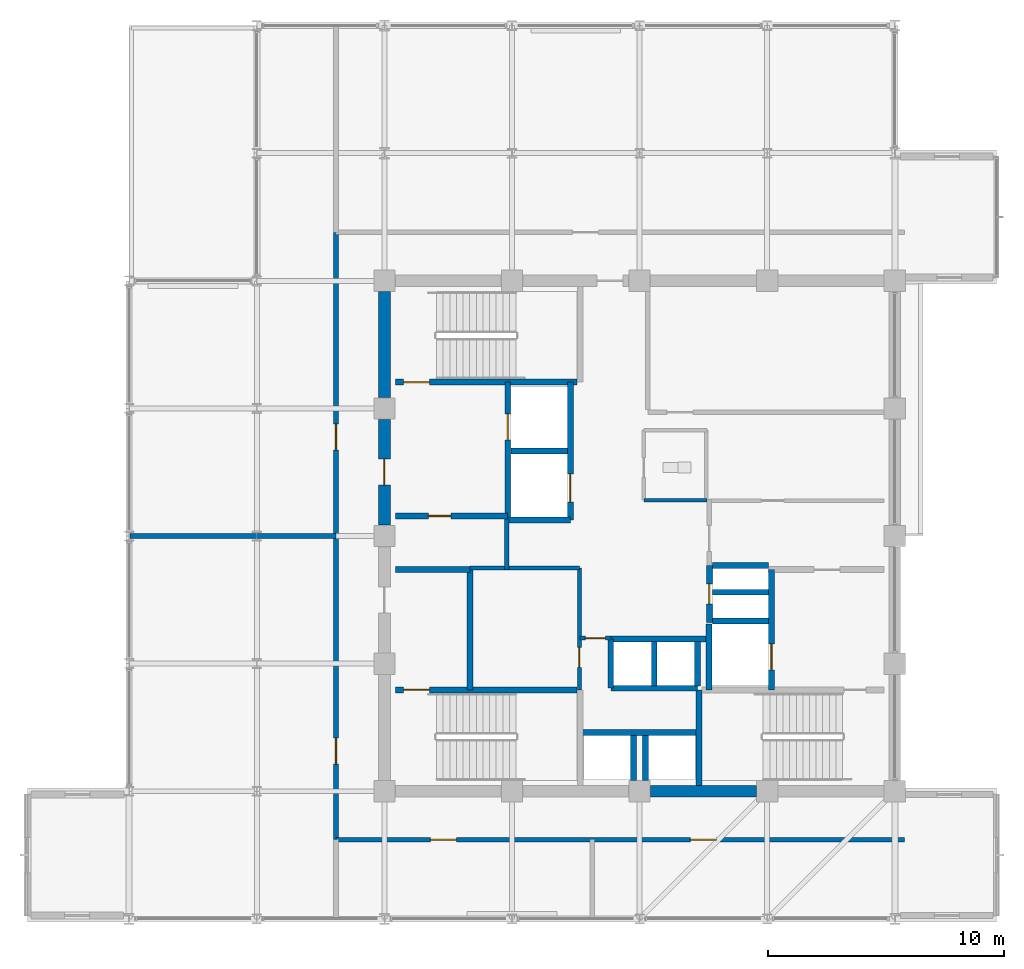
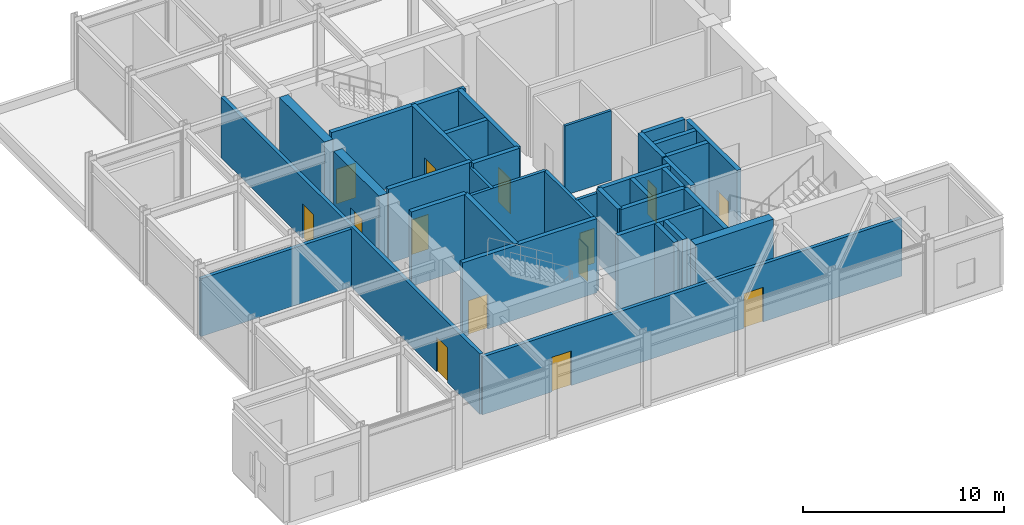
# One storey, part 16 of 22: 35 walls, 14 doors, 14 openings.
"""IFC4 building model written with IfcOpenShell, lengths in metres."""

from ifc_helpers import new_model, si_unit, direction, frame, frame_2d, origin, place, context, subcontext, project, spatial, rectangle, extrude, material, layer, layer_set, type_object, element, fill, save


model = new_model("IFC4")

# Units and contexts
model_context = context("Model", 3, precision=1e-05, world=origin(), true_north=direction((0.0, 1.0)))
body_context = subcontext(model_context, "Body", "Model", "MODEL_VIEW")
ifc_project = project(units=[si_unit("LENGTHUNIT", "METRE"), si_unit("AREAUNIT", "SQUARE_METRE"), si_unit("VOLUMEUNIT", "CUBIC_METRE"), si_unit("PLANEANGLEUNIT", "RADIAN"), si_unit("MASSUNIT", "GRAM", prefix="KILO")], contexts=[model_context])

# Site, building, storey
site_placement = place(None, origin())
site = spatial("IfcSite", under=ifc_project, at=site_placement, CompositionType="ELEMENT")
building_placement = place(site_placement, origin())
building = spatial("IfcBuilding", under=site, at=building_placement, Name="Surkhivell Harbour Commons", CompositionType="ELEMENT")
storey_placement = place(building_placement, frame((0.0, 0.0, 342.0)))
storey = spatial("IfcBuildingStorey", under=building, at=storey_placement, Name="L89", CompositionType="ELEMENT", Elevation=342.0)

# Wall
ifc_material_1 = material(Name="Concrete C50/60", Category="concrete")
ifc_layer_1 = layer(ifc_material_1, 0.5)
ifc_layer_set_1 = layer_set([ifc_layer_1], Name="Concrete C50/60")
wall_type_1 = type_object("IfcWallType", Name="WAL-CORE-500", PredefinedType="SHEAR", material=ifc_layer_set_1)
wall_1_placement = place(storey_placement, frame((0.4599609375, -10.800048828125, 0.0), z_axis=(0.0, 0.0, 1.0), x_axis=(1.0, 0.0, 0.0)))
element("IfcWall", 1, at=wall_1_placement, inside=storey, type_object=wall_type_1, Name="L89 Core Shear Wall South 3", PredefinedType="SHEAR", context=body_context, shape_type="SweptSolid", body=[
    extrude(rectangle(XDim=4.47998046875, YDim=0.5, at=frame_2d((2.239990234375, 0.0))), origin(), (0.0, 0.0, 1.0), 4.5),
])

# Wall, opening, door
wall_2_placement = place(storey_placement, frame((-10.800048828125, 0.4599609375, 0.0), z_axis=(0.0, 0.0, 1.0), x_axis=(0.0, 1.0, 0.0)))
wall_2 = element("IfcWall", 2, at=wall_2_placement, inside=storey, type_object=wall_type_1, Name="L89 Core Shear Wall West 3", PredefinedType="SHEAR", context=body_context, shape_type="SweptSolid", body=[
    extrude(rectangle(XDim=4.47998046875, YDim=0.5, at=frame_2d((2.239990234375, 0.0))), origin(), (0.0, 0.0, 1.0), 4.5),
])
opening_1_placement = place(wall_2_placement, frame((1.68994140625, 0.0, 0.0)))
opening_1 = element("IfcOpeningElement", 3, at=opening_1_placement, cuts=wall_2, Name="Opening ID-1", PredefinedType="OPENING", context=body_context, shape_type="SweptSolid", body=[
    extrude(rectangle(XDim=1.10009765625, YDim=2.10009765625, at=frame_2d((0.550048828125, 1.050048828125))), frame((0.0, 0.260009765625, 0.0), z_axis=(0.0, -1.0, 0.0), x_axis=(1.0, 0.0, 0.0)), (0.0, 0.0, 1.0), 0.52001953125),
])
ifc_material_2 = material(Name="Hardwood-veneered fire-rated door leaf", Category="wood")
door_type_1 = type_object("IfcDoorType", Name="DOR-FD120-1100", OperationType="NOTDEFINED", PredefinedType="DOOR", material=ifc_material_2)
door_1_placement = place(opening_1_placement, origin())
door_1 = element("IfcDoor", 4, at=door_1_placement, inside=storey, type_object=door_type_1, Name="L89 Firefighting Lobby 1 Corridor Door", OperationType="SINGLE_SWING_LEFT", OverallHeight=2.10009765625, OverallWidth=1.10009765625, PredefinedType="DOOR", context=body_context, shape_type="SweptSolid", body=[
    extrude(rectangle(XDim=1.10009765625, YDim=2.10009765625, at=frame_2d((0.550048828125, 1.050048828125))), frame((0.0, 0.02490234375, 0.0), z_axis=(0.0, -1.0, 0.0), x_axis=(1.0, 0.0, 0.0)), (0.0, 0.0, 1.0), 0.050048828125),
])
fill(opening_1, door_1)

# Walls
wall_3_placement = place(storey_placement, frame((-10.800048828125, 5.860107421875, 0.0), z_axis=(0.0, 0.0, 1.0), x_axis=(0.0, 1.0, 0.0)))
element("IfcWall", 5, at=wall_3_placement, inside=storey, type_object=wall_type_1, Name="L89 Core Shear Wall West 4", PredefinedType="SHEAR", context=body_context, shape_type="SweptSolid", body=[
    extrude(rectangle(XDim=4.47998046875, YDim=0.5, at=frame_2d((2.239990234375, 0.0))), origin(), (0.0, 0.0, 1.0), 4.5),
])
ifc_material_3 = material(Name="Twin-stud acoustic fireboard partition", Category="other")
ifc_layer_2 = layer(ifc_material_3, 0.14990234375)
ifc_layer_set_2 = layer_set([ifc_layer_2], Name="Twin-stud acoustic fireboard partition")
wall_type_2 = type_object("IfcWallType", Name="WAL-INT-150", PredefinedType="PARTITIONING", material=ifc_layer_set_2)
wall_4_placement = place(storey_placement, frame((0.179931640625, 1.52001953125, 0.0), z_axis=(0.0, 0.0, 1.0), x_axis=(1.0, 0.0, 0.0)))
element("IfcWall", 6, at=wall_4_placement, inside=storey, type_object=wall_type_2, Name="L89 Core Accessible WC South Wall", PredefinedType="PARTITIONING", context=body_context, shape_type="SweptSolid", body=[
    extrude(rectangle(XDim=2.670166015625, YDim=0.14990234375, at=frame_2d((1.3349609375, 0.0))), origin(), (0.0, 0.0, 1.0), 4.219970703125),
])

# Wall, opening, door
ifc_material_4 = material(Name="High-density acoustic blockwork fire partition", Category="masonry")
ifc_layer_3 = layer(ifc_material_4, 0.175048828125)
ifc_layer_set_3 = layer_set([ifc_layer_3], Name="High-density acoustic blockwork fire partition")
wall_type_3 = type_object("IfcWallType", Name="WAL-INT-175", PredefinedType="PARTITIONING", material=ifc_layer_set_3)
wall_5_placement = place(storey_placement, frame((-2.550048828125, -6.510009765625, 0.0), z_axis=(0.0, 0.0, 1.0), x_axis=(0.0, 1.0, 0.0)))
wall_5 = element("IfcWall", 7, at=wall_5_placement, inside=storey, type_object=wall_type_3, Name="L89 Core Service Bay East Wall", PredefinedType="PARTITIONING", context=body_context, shape_type="SweptSolid", body=[
    extrude(rectangle(XDim=5.159912109375, YDim=0.175048828125, at=frame_2d((2.580078125, 0.0))), origin(), (0.0, 0.0, 1.0), 4.219970703125),
])
opening_2_placement = place(wall_5_placement, frame((0.949951171875, 0.0, 0.0)))
opening_2 = element("IfcOpeningElement", 8, at=opening_2_placement, cuts=wall_5, Name="Opening ID-6", PredefinedType="OPENING", context=body_context, shape_type="SweptSolid", body=[
    extrude(rectangle(XDim=0.85009765625, YDim=2.10009765625, at=frame_2d((0.425048828125, 1.050048828125))), frame((0.0, 0.097412109375, 0.0), z_axis=(0.0, -1.0, 0.0), x_axis=(1.0, 0.0, 0.0)), (0.0, 0.0, 1.0), 0.195068359375),
])
door_type_2 = type_object("IfcDoorType", Name="DOR-FD30-850", OperationType="NOTDEFINED", PredefinedType="DOOR", material=ifc_material_2)
door_2_placement = place(opening_2_placement, origin())
door_2 = element("IfcDoor", 9, at=door_2_placement, inside=storey, type_object=door_type_2, Name="L89 Core Metering Door", OperationType="SINGLE_SWING_LEFT", OverallHeight=2.10009765625, OverallWidth=0.85009765625, PredefinedType="DOOR", context=body_context, shape_type="SweptSolid", body=[
    extrude(rectangle(XDim=0.85009765625, YDim=2.10009765625, at=frame_2d((0.425048828125, 1.050048828125))), frame((0.0, 0.02490234375, 0.0), z_axis=(0.0, -1.0, 0.0), x_axis=(1.0, 0.0, 0.0)), (0.0, 0.0, 1.0), 0.050048828125),
])
fill(opening_2, door_2)

# Walls
wall_6_placement = place(storey_placement, frame((-7.179931640625, -1.35009765625, 0.0), z_axis=(0.0, 0.0, 1.0), x_axis=(1.0, 0.0, 0.0)))
element("IfcWall", 10, at=wall_6_placement, inside=storey, type_object=wall_type_3, Name="L89 Core Service Bay North Wall", PredefinedType="PARTITIONING", context=body_context, shape_type="SweptSolid", body=[
    extrude(rectangle(XDim=4.6298828125, YDim=0.175048828125, at=frame_2d((2.31494140625, 0.0))), origin(), (0.0, 0.0, 1.0), 4.219970703125),
])
wall_7_placement = place(storey_placement, frame((-5.6201171875, -1.419921875, 0.0), z_axis=(0.0, 0.0, 1.0), x_axis=(0.0, 1.0, 0.0)))
element("IfcWall", 11, at=wall_7_placement, inside=storey, type_object=wall_type_3, Name="L89 West Core Bay East Wall", PredefinedType="PARTITIONING", context=body_context, shape_type="SweptSolid", body=[
    extrude(rectangle(XDim=2.139892578125, YDim=0.175048828125, at=frame_2d((1.06982421875, 0.0))), origin(), (0.0, 0.0, 1.0), 4.219970703125),
])

# Wall, opening, door
wall_8_placement = place(storey_placement, frame((-2.52001953125, -4.320068359375, 0.0), z_axis=(0.0, 0.0, 1.0), x_axis=(1.0, 0.0, 0.0)))
wall_8 = element("IfcWall", 12, at=wall_8_placement, inside=storey, type_object=wall_type_3, Name="L89 High-Rise Lobby North Portal Wall", PredefinedType="PARTITIONING", context=body_context, shape_type="SweptSolid", body=[
    extrude(rectangle(XDim=1.300048828125, YDim=0.175048828125, at=frame_2d((0.64990234375, 0.0))), origin(), (0.0, 0.0, 1.0), 4.219970703125),
])
opening_3_placement = place(wall_8_placement, frame((0.219970703125, 0.0, 0.0)))
opening_3 = element("IfcOpeningElement", 13, at=opening_3_placement, cuts=wall_8, Name="Opening ID-6", PredefinedType="OPENING", context=body_context, shape_type="SweptSolid", body=[
    extrude(rectangle(XDim=0.85009765625, YDim=2.10009765625, at=frame_2d((0.425048828125, 1.050048828125))), frame((0.0, 0.097412109375, 0.0), z_axis=(0.0, -1.0, 0.0), x_axis=(1.0, 0.0, 0.0)), (0.0, 0.0, 1.0), 0.195068359375),
])
door_3_placement = place(opening_3_placement, origin())
door_3 = element("IfcDoor", 14, at=door_3_placement, inside=storey, type_object=door_type_2, Name="L89 High-Rise Lift Lobby North Door", OperationType="SINGLE_SWING_LEFT", OverallHeight=2.10009765625, OverallWidth=0.85009765625, PredefinedType="DOOR", context=body_context, shape_type="SweptSolid", body=[
    extrude(rectangle(XDim=0.85009765625, YDim=2.10009765625, at=frame_2d((0.425048828125, 1.050048828125))), frame((0.0, 0.02490234375, 0.0), z_axis=(0.0, -1.0, 0.0), x_axis=(1.0, 0.0, 0.0)), (0.0, 0.0, 1.0), 0.050048828125),
])
fill(opening_3, door_3)

# Wall
ifc_material_5 = material(Name="Autoclaved aerated concrete blockwork and fire plaster", Category="masonry")
ifc_layer_4 = layer(ifc_material_5, 0.199951171875)
ifc_layer_set_4 = layer_set([ifc_layer_4], Name="Autoclaved aerated concrete blockwork and fire plaster")
wall_type_4 = type_object("IfcWallType", Name="WAL-INT-200", PredefinedType="PARTITIONING", material=ifc_layer_set_4)
wall_9_placement = place(storey_placement, frame((-21.56005859375, 0.0, 0.0), z_axis=(0.0, 0.0, 1.0), x_axis=(1.0, 0.0, 0.0)))
element("IfcWall", 15, at=wall_9_placement, inside=storey, type_object=wall_type_4, Name="L89 Crown Plant West Divider", PredefinedType="PARTITIONING", context=body_context, shape_type="SweptSolid", body=[
    extrude(rectangle(XDim=8.7099609375, YDim=0.199951171875, at=frame_2d((4.35498046875, 0.0))), origin(), (0.0, 0.0, 1.0), 3.507080078125),
])

# Wall, openings, doors
wall_10_placement = place(storey_placement, frame((-12.85009765625, -12.85009765625, 0.0), z_axis=(0.0, 0.0, 1.0), x_axis=(1.0, 0.0, 0.0)))
wall_10 = element("IfcWall", 16, at=wall_10_placement, inside=storey, type_object=wall_type_4, Name="L89 Crown Corridor South Wall", PredefinedType="PARTITIONING", context=body_context, shape_type="SweptSolid", body=[
    extrude(rectangle(XDim=24.050048828125, YDim=0.199951171875, at=frame_2d((12.02490234375, 0.0))), origin(), (0.0, 0.0, 1.0), 3.507080078125),
])
opening_4_placement = place(wall_10_placement, frame((4.0, 0.0, 0.0)))
opening_4 = element("IfcOpeningElement", 17, at=opening_4_placement, cuts=wall_10, Name="Opening ID-2", PredefinedType="OPENING", context=body_context, shape_type="SweptSolid", body=[
    extrude(rectangle(XDim=1.10009765625, YDim=2.10009765625, at=frame_2d((0.550048828125, 1.050048828125))), frame((0.0, 0.10986328125, 0.0), z_axis=(0.0, -1.0, 0.0), x_axis=(1.0, 0.0, 0.0)), (0.0, 0.0, 1.0), 0.219970703125),
])
opening_5_placement = place(wall_10_placement, frame((15.0, 0.0, 0.0)))
opening_5 = element("IfcOpeningElement", 18, at=opening_5_placement, cuts=wall_10, Name="Opening ID-2", PredefinedType="OPENING", context=body_context, shape_type="SweptSolid", body=[
    extrude(rectangle(XDim=1.10009765625, YDim=2.10009765625, at=frame_2d((0.550048828125, 1.050048828125))), frame((0.0, 0.10986328125, 0.0), z_axis=(0.0, -1.0, 0.0), x_axis=(1.0, 0.0, 0.0)), (0.0, 0.0, 1.0), 0.219970703125),
])
door_type_3 = type_object("IfcDoorType", Name="DOR-FD60-1100", OperationType="NOTDEFINED", PredefinedType="DOOR", material=ifc_material_2)
door_4_placement = place(opening_4_placement, origin())
door_4 = element("IfcDoor", 19, at=door_4_placement, inside=storey, type_object=door_type_3, Name="L89 L89 West HV Switchgear Plant Room Door", OperationType="SINGLE_SWING_LEFT", OverallHeight=2.10009765625, OverallWidth=1.10009765625, PredefinedType="DOOR", context=body_context, shape_type="SweptSolid", body=[
    extrude(rectangle(XDim=1.10009765625, YDim=2.10009765625, at=frame_2d((0.550048828125, 1.050048828125))), frame((0.0, 0.02490234375, 0.0), z_axis=(0.0, -1.0, 0.0), x_axis=(1.0, 0.0, 0.0)), (0.0, 0.0, 1.0), 0.050048828125),
])
fill(opening_4, door_4)
door_5_placement = place(opening_5_placement, origin())
door_5 = element("IfcDoor", 20, at=door_5_placement, inside=storey, type_object=door_type_3, Name="L89 L89 East BMS Control Plant Room Door", OperationType="SINGLE_SWING_RIGHT", OverallHeight=2.10009765625, OverallWidth=1.10009765625, PredefinedType="DOOR", context=body_context, shape_type="SweptSolid", body=[
    extrude(rectangle(XDim=1.10009765625, YDim=2.10009765625, at=frame_2d((0.550048828125, 1.050048828125))), frame((0.0, 0.02490234375, 0.0), z_axis=(0.0, -1.0, 0.0), x_axis=(1.0, 0.0, 0.0)), (0.0, 0.0, 1.0), 0.050048828125),
])
fill(opening_5, door_5)

wall_11_placement = place(storey_placement, frame((-12.85009765625, -12.85009765625, 0.0), z_axis=(0.0, 0.0, 1.0), x_axis=(0.0, 1.0, 0.0)))
wall_11 = element("IfcWall", 21, at=wall_11_placement, inside=storey, type_object=wall_type_4, Name="L89 Crown Corridor West Wall", PredefinedType="PARTITIONING", context=body_context, shape_type="SweptSolid", body=[
    extrude(rectangle(XDim=25.7001953125, YDim=0.199951171875, at=frame_2d((12.85009765625, 0.0))), origin(), (0.0, 0.0, 1.0), 3.6630859375),
])
opening_6_placement = place(wall_11_placement, frame((16.5, 0.0, 0.0)))
opening_6 = element("IfcOpeningElement", 22, at=opening_6_placement, cuts=wall_11, Name="Opening ID-2", PredefinedType="OPENING", context=body_context, shape_type="SweptSolid", body=[
    extrude(rectangle(XDim=1.10009765625, YDim=2.10009765625, at=frame_2d((0.550048828125, 1.050048828125))), frame((0.0, 0.10986328125, 0.0), z_axis=(0.0, -1.0, 0.0), x_axis=(1.0, 0.0, 0.0)), (0.0, 0.0, 1.0), 0.219970703125),
])
opening_7_placement = place(wall_11_placement, frame((3.199951171875, 0.0, 0.0)))
opening_7 = element("IfcOpeningElement", 23, at=opening_7_placement, cuts=wall_11, Name="Opening ID-2", PredefinedType="OPENING", context=body_context, shape_type="SweptSolid", body=[
    extrude(rectangle(XDim=1.10009765625, YDim=2.10009765625, at=frame_2d((0.550048828125, 1.050048828125))), frame((0.0, 0.10986328125, 0.0), z_axis=(0.0, -1.0, 0.0), x_axis=(1.0, 0.0, 0.0)), (0.0, 0.0, 1.0), 0.219970703125),
])
door_6_placement = place(opening_6_placement, origin())
door_6 = element("IfcDoor", 24, at=door_6_placement, inside=storey, type_object=door_type_3, Name="L89 L89 Potable Water Reserve Tank Room Door", OperationType="SINGLE_SWING_LEFT", OverallHeight=2.10009765625, OverallWidth=1.10009765625, PredefinedType="DOOR", context=body_context, shape_type="SweptSolid", body=[
    extrude(rectangle(XDim=1.10009765625, YDim=2.10009765625, at=frame_2d((0.550048828125, 1.050048828125))), frame((0.0, 0.02490234375, 0.0), z_axis=(0.0, -1.0, 0.0), x_axis=(1.0, 0.0, 0.0)), (0.0, 0.0, 1.0), 0.050048828125),
])
fill(opening_6, door_6)
door_7_placement = place(opening_7_placement, origin())
door_7 = element("IfcDoor", 25, at=door_7_placement, inside=storey, type_object=door_type_3, Name="L89 L89 Fire Service Reserve Tank Room Door", OperationType="SINGLE_SWING_RIGHT", OverallHeight=2.10009765625, OverallWidth=1.10009765625, PredefinedType="DOOR", context=body_context, shape_type="SweptSolid", body=[
    extrude(rectangle(XDim=1.10009765625, YDim=2.10009765625, at=frame_2d((0.550048828125, 1.050048828125))), frame((0.0, 0.02490234375, 0.0), z_axis=(0.0, -1.0, 0.0), x_axis=(1.0, 0.0, 0.0)), (0.0, 0.0, 1.0), 0.050048828125),
])
fill(opening_7, door_7)

# Wall, opening, door
ifc_layer_5 = layer(ifc_material_1, 0.25)
ifc_layer_set_5 = layer_set([ifc_layer_5], Name="Concrete C50/60")
wall_type_5 = type_object("IfcWallType", Name="WAL-SHAFT-250", PredefinedType="SHEAR", material=ifc_layer_set_5)
wall_12_placement = place(storey_placement, frame((-5.580078125, 0.719970703125, 0.0), z_axis=(0.0, 0.0, 1.0), x_axis=(0.0, 1.0, 0.0)))
wall_12 = element("IfcWall", 26, at=wall_12_placement, inside=storey, type_object=wall_type_5, Name="L89 Firefighting Lobby 1 East Shaft Wall", PredefinedType="SHEAR", context=body_context, shape_type="SweptSolid", body=[
    extrude(rectangle(XDim=5.7900390625, YDim=0.25, at=frame_2d((2.89501953125, 0.0))), origin(), (0.0, 0.0, 1.0), 4.5),
])
opening_8_placement = place(wall_12_placement, frame((3.35009765625, 0.0, 0.0)))
opening_8 = element("IfcOpeningElement", 27, at=opening_8_placement, cuts=wall_12, Name="Opening LD-1", PredefinedType="OPENING", context=body_context, shape_type="SweptSolid", body=[
    extrude(rectangle(XDim=1.10009765625, YDim=2.10009765625, at=frame_2d((0.550048828125, 1.050048828125))), frame((0.0, 0.135009765625, 0.0), z_axis=(0.0, -1.0, 0.0), x_axis=(1.0, 0.0, 0.0)), (0.0, 0.0, 1.0), 0.27001953125),
])
ifc_material_6 = material(Name="Brushed stainless steel S355", Category="steel")
door_type_4 = type_object("IfcDoorType", Name="DOR-LD-1100", OperationType="SLIDING_TO_LEFT", PredefinedType="DOOR", material=ifc_material_6)
door_8_placement = place(opening_8_placement, origin())
door_8 = element("IfcDoor", 28, at=door_8_placement, inside=storey, type_object=door_type_4, Name="L89 Lift Landing Door LD-FFL1", OperationType="SLIDING_TO_LEFT", OverallHeight=2.10009765625, OverallWidth=1.10009765625, PredefinedType="DOOR", context=body_context, shape_type="SweptSolid", body=[
    extrude(rectangle(XDim=1.10009765625, YDim=2.10009765625, at=frame_2d((0.550048828125, 1.050048828125))), frame((0.0, 0.02490234375, 0.0), z_axis=(0.0, -1.0, 0.0), x_axis=(1.0, 0.0, 0.0)), (0.0, 0.0, 1.0), 0.050048828125),
])
fill(opening_8, door_8)

wall_13_placement = place(storey_placement, frame((-10.340087890625, 0.85009765625, 0.0), z_axis=(0.0, 0.0, 1.0), x_axis=(1.0, 0.0, 0.0)))
wall_13 = element("IfcWall", 29, at=wall_13_placement, inside=storey, type_object=wall_type_5, Name="L89 Firefighting Lobby 1 South Wall", PredefinedType="SHEAR", context=body_context, shape_type="SweptSolid", body=[
    extrude(rectangle(XDim=4.760009765625, YDim=0.25, at=frame_2d((2.3798828125, 0.0))), origin(), (0.0, 0.0, 1.0), 4.5),
])
opening_9_placement = place(wall_13_placement, frame((1.39990234375, 0.0, 0.0)))
opening_9 = element("IfcOpeningElement", 30, at=opening_9_placement, cuts=wall_13, Name="Opening ID-4", PredefinedType="OPENING", context=body_context, shape_type="SweptSolid", body=[
    extrude(rectangle(XDim=0.949951171875, YDim=2.10009765625, at=frame_2d((0.47509765625, 1.050048828125))), frame((0.0, 0.135009765625, 0.0), z_axis=(0.0, -1.0, 0.0), x_axis=(1.0, 0.0, 0.0)), (0.0, 0.0, 1.0), 0.27001953125),
])
door_type_5 = type_object("IfcDoorType", Name="DOR-FD60-950", OperationType="NOTDEFINED", PredefinedType="DOOR", material=ifc_material_2)
door_9_placement = place(opening_9_placement, origin())
door_9 = element("IfcDoor", 31, at=door_9_placement, inside=storey, type_object=door_type_5, Name="L89 Core BMS Room Door", OperationType="SINGLE_SWING_RIGHT", OverallHeight=2.10009765625, OverallWidth=0.949951171875, PredefinedType="DOOR", context=body_context, shape_type="SweptSolid", body=[
    extrude(rectangle(XDim=0.949951171875, YDim=2.10009765625, at=frame_2d((0.47509765625, 1.050048828125))), frame((0.0, 0.02490234375, 0.0), z_axis=(0.0, -1.0, 0.0), x_axis=(1.0, 0.0, 0.0)), (0.0, 0.0, 1.0), 0.050048828125),
])
fill(opening_9, door_9)

# Walls
wall_14_placement = place(storey_placement, frame((2.929931640625, -6.510009765625, 0.0), z_axis=(0.0, 0.0, 1.0), x_axis=(0.0, 1.0, 0.0)))
element("IfcWall", 32, at=wall_14_placement, inside=storey, type_object=wall_type_5, Name="L89 FFL2 West Shaft Wall", PredefinedType="SHEAR", context=body_context, shape_type="SweptSolid", body=[
    extrude(rectangle(XDim=2.7900390625, YDim=0.25, at=frame_2d((1.39501953125, 0.0))), origin(), (0.0, 0.0, 1.0), 4.5),
])
wall_15_placement = place(storey_placement, frame((3.080078125, -3.60009765625, 0.0), z_axis=(0.0, 0.0, 1.0), x_axis=(1.0, 0.0, 0.0)))
element("IfcWall", 33, at=wall_15_placement, inside=storey, type_object=wall_type_5, Name="L89 FFL2 North Shaft Wall", PredefinedType="SHEAR", context=body_context, shape_type="SweptSolid", body=[
    extrude(rectangle(XDim=2.369873046875, YDim=0.25, at=frame_2d((1.18505859375, 0.0))), origin(), (0.0, 0.0, 1.0), 4.5),
])

# Wall, opening, door
wall_16_placement = place(storey_placement, frame((5.580078125, -6.510009765625, 0.0), z_axis=(0.0, 0.0, 1.0), x_axis=(0.0, 1.0, 0.0)))
wall_16 = element("IfcWall", 34, at=wall_16_placement, inside=storey, type_object=wall_type_5, Name="L89 Firefighting Lobby 2 West Shaft Wall", PredefinedType="SHEAR", context=body_context, shape_type="SweptSolid", body=[
    extrude(rectangle(XDim=5.090087890625, YDim=0.25, at=frame_2d((2.544921875, 0.0))), origin(), (0.0, 0.0, 1.0), 4.5),
])
opening_10_placement = place(wall_16_placement, frame((0.85009765625, 0.0, 0.0)))
opening_10 = element("IfcOpeningElement", 35, at=opening_10_placement, cuts=wall_16, Name="Opening LD-1", PredefinedType="OPENING", context=body_context, shape_type="SweptSolid", body=[
    extrude(rectangle(XDim=1.10009765625, YDim=2.10009765625, at=frame_2d((0.550048828125, 1.050048828125))), frame((0.0, 0.135009765625, 0.0), z_axis=(0.0, -1.0, 0.0), x_axis=(1.0, 0.0, 0.0)), (0.0, 0.0, 1.0), 0.27001953125),
])
door_10_placement = place(opening_10_placement, origin())
door_10 = element("IfcDoor", 36, at=door_10_placement, inside=storey, type_object=door_type_4, Name="L89 Lift Landing Door LD-FFL2", OperationType="SLIDING_TO_RIGHT", OverallHeight=2.10009765625, OverallWidth=1.10009765625, PredefinedType="DOOR", context=body_context, shape_type="SweptSolid", body=[
    extrude(rectangle(XDim=1.10009765625, YDim=2.10009765625, at=frame_2d((0.550048828125, 1.050048828125))), frame((0.0, 0.02490234375, 0.0), z_axis=(0.0, -1.0, 0.0), x_axis=(1.0, 0.0, 0.0)), (0.0, 0.0, 1.0), 0.050048828125),
])
fill(opening_10, door_10)

# Walls
for number, where, z_axis, x_axis, name in (
    (37, (0.6201171875, -6.340087890625, 0.0), (0.0, 0.0, 1.0), (0.0, 1.0, 0.0), "L89 High-Rise Side Wall N"),
    (38, (2.449951171875, -6.340087890625, 0.0), (0.0, 0.0, 1.0), (0.0, 1.0, 0.0), "L89 High-Rise Side Wall N"),
):
    element("IfcWall", number, at=place(storey_placement, frame(where, z_axis=z_axis, x_axis=x_axis)), inside=storey, type_object=wall_type_5, Name=name, PredefinedType="SHEAR", context=body_context, shape_type="SweptSolid", body=[
        extrude(rectangle(XDim=1.880126953125, YDim=0.25, at=frame_2d((0.93994140625, 0.0))), origin(), (0.0, 0.0, 1.0), 4.5),
    ])
for number, where, z_axis, x_axis, name in (
    (39, (-0.25, -10.35009765625, 0.0), (0.0, 0.0, 1.0), (0.0, 1.0, 0.0), "L89 High-Rise Side Wall S"),
    (40, (0.25, -10.35009765625, 0.0), (0.0, 0.0, 1.0), (0.0, 1.0, 0.0), "L89 High-Rise Side Wall S"),
):
    element("IfcWall", number, at=place(storey_placement, frame(where, z_axis=z_axis, x_axis=x_axis)), inside=storey, type_object=wall_type_5, Name=name, PredefinedType="SHEAR", context=body_context, shape_type="SweptSolid", body=[
        extrude(rectangle(XDim=1.91015625, YDim=0.25, at=frame_2d((0.955078125, 0.0))), origin(), (0.0, 0.0, 1.0), 4.5),
    ])
wall_17_placement = place(storey_placement, frame((-1.219970703125, -6.43994140625, 0.0), z_axis=(0.0, 0.0, 1.0), x_axis=(0.0, 1.0, 0.0)))
element("IfcWall", 41, at=wall_17_placement, inside=storey, type_object=wall_type_5, Name="L89 High-Rise Passage East Shaft Wall", PredefinedType="SHEAR", context=body_context, shape_type="SweptSolid", body=[
    extrude(rectangle(XDim=2.079833984375, YDim=0.25, at=frame_2d((1.0400390625, 0.0))), origin(), (0.0, 0.0, 1.0), 4.5),
])
wall_18_placement = place(storey_placement, frame((-1.219970703125, -6.43994140625, 0.0), z_axis=(0.0, 0.0, 1.0), x_axis=(1.0, 0.0, 0.0)))
element("IfcWall", 42, at=wall_18_placement, inside=storey, type_object=wall_type_5, Name="L89 High-Rise North Front Shaft Wall", PredefinedType="SHEAR", context=body_context, shape_type="SweptSolid", body=[
    extrude(rectangle(XDim=3.669921875, YDim=0.25, at=frame_2d((1.8349609375, 0.0))), origin(), (0.0, 0.0, 1.0), 4.5),
])
wall_19_placement = place(storey_placement, frame((-2.47998046875, -8.320068359375, 0.0), z_axis=(0.0, 0.0, 1.0), x_axis=(1.0, 0.0, 0.0)))
element("IfcWall", 43, at=wall_19_placement, inside=storey, type_object=wall_type_5, Name="L89 High-Rise South Front Shaft Wall", PredefinedType="SHEAR", context=body_context, shape_type="SweptSolid", body=[
    extrude(rectangle(XDim=4.929931640625, YDim=0.25, at=frame_2d((2.46484375, 0.0))), origin(), (0.0, 0.0, 1.0), 4.5),
])
wall_20_placement = place(storey_placement, frame((-1.219970703125, -4.360107421875, 0.0), z_axis=(0.0, 0.0, 1.0), x_axis=(1.0, 0.0, 0.0)))
element("IfcWall", 44, at=wall_20_placement, inside=storey, type_object=wall_type_5, Name="L89 High-Rise North Back Shaft Wall", PredefinedType="SHEAR", context=body_context, shape_type="SweptSolid", body=[
    extrude(rectangle(XDim=4.030029296875, YDim=0.25, at=frame_2d((2.01513671875, 0.0))), origin(), (0.0, 0.0, 1.0), 4.5),
])
for number, where, z_axis, x_axis, name in (
    (45, (3.080078125, -2.3798828125, 0.0), (0.0, 0.0, 1.0), (1.0, 0.0, 0.0), "L89 Riser Divider Wall"),
    (46, (3.080078125, -1.25, 0.0), (0.0, 0.0, 1.0), (1.0, 0.0, 0.0), "L89 Riser North Wall"),
):
    element("IfcWall", number, at=place(storey_placement, frame(where, z_axis=z_axis, x_axis=x_axis)), inside=storey, type_object=wall_type_5, Name=name, PredefinedType="SHEAR", context=body_context, shape_type="SweptSolid", body=[
        extrude(rectangle(XDim=2.369873046875, YDim=0.25, at=frame_2d((1.18505859375, 0.0))), origin(), (0.0, 0.0, 1.0), 4.5),
    ])

# Wall, opening, door
wall_21_placement = place(storey_placement, frame((2.949951171875, -3.64990234375, 0.0), z_axis=(0.0, 0.0, 1.0), x_axis=(0.0, 1.0, 0.0)))
wall_21 = element("IfcWall", 47, at=wall_21_placement, inside=storey, type_object=wall_type_5, Name="L89 Riser Shaft West Wall", PredefinedType="SHEAR", context=body_context, shape_type="SweptSolid", body=[
    extrude(rectangle(XDim=2.39990234375, YDim=0.25, at=frame_2d((1.199951171875, 0.0))), origin(), (0.0, 0.0, 1.0), 4.5),
])
opening_11_placement = place(wall_21_placement, frame((0.77490234375, 0.0, 0.0)))
opening_11 = element("IfcOpeningElement", 48, at=opening_11_placement, cuts=wall_21, Name="Opening ID-6", PredefinedType="OPENING", context=body_context, shape_type="SweptSolid", body=[
    extrude(rectangle(XDim=0.85009765625, YDim=2.10009765625, at=frame_2d((0.425048828125, 1.050048828125))), frame((0.0, 0.135009765625, 0.0), z_axis=(0.0, -1.0, 0.0), x_axis=(1.0, 0.0, 0.0)), (0.0, 0.0, 1.0), 0.27001953125),
])
door_11_placement = place(opening_11_placement, origin())
door_11 = element("IfcDoor", 49, at=door_11_placement, inside=storey, type_object=door_type_2, Name="L89 Electrical Riser Access Door", OperationType="SINGLE_SWING_LEFT", OverallHeight=2.10009765625, OverallWidth=0.85009765625, PredefinedType="DOOR", context=body_context, shape_type="SweptSolid", body=[
    extrude(rectangle(XDim=0.85009765625, YDim=2.10009765625, at=frame_2d((0.425048828125, 1.050048828125))), frame((0.0, 0.02490234375, 0.0), z_axis=(0.0, -1.0, 0.0), x_axis=(1.0, 0.0, 0.0)), (0.0, 0.0, 1.0), 0.050048828125),
])
fill(opening_11, door_11)

wall_22_placement = place(storey_placement, frame((-10.340087890625, 6.510009765625, 0.0), z_axis=(0.0, 0.0, 1.0), x_axis=(1.0, 0.0, 0.0)))
wall_22 = element("IfcWall", 50, at=wall_22_placement, inside=storey, type_object=wall_type_5, Name="L89 Stair ST1 South Shear Wall", PredefinedType="SHEAR", context=body_context, shape_type="SweptSolid", body=[
    extrude(rectangle(XDim=7.7001953125, YDim=0.25, at=frame_2d((3.85009765625, 0.0))), origin(), (0.0, 0.0, 1.0), 4.5),
])
opening_12_placement = place(wall_22_placement, frame((0.35009765625, 0.0, 0.0)))
opening_12 = element("IfcOpeningElement", 51, at=opening_12_placement, cuts=wall_22, Name="Opening ID-2", PredefinedType="OPENING", context=body_context, shape_type="SweptSolid", body=[
    extrude(rectangle(XDim=1.10009765625, YDim=2.10009765625, at=frame_2d((0.550048828125, 1.050048828125))), frame((0.0, 0.135009765625, 0.0), z_axis=(0.0, -1.0, 0.0), x_axis=(1.0, 0.0, 0.0)), (0.0, 0.0, 1.0), 0.27001953125),
])
door_12_placement = place(opening_12_placement, origin())
door_12 = element("IfcDoor", 52, at=door_12_placement, inside=storey, type_object=door_type_3, Name="L89 Stair ST1 Exit Door", OperationType="SINGLE_SWING_LEFT", OverallHeight=2.10009765625, OverallWidth=1.10009765625, PredefinedType="DOOR", context=body_context, shape_type="SweptSolid", body=[
    extrude(rectangle(XDim=1.10009765625, YDim=2.10009765625, at=frame_2d((0.550048828125, 1.050048828125))), frame((0.0, 0.02490234375, 0.0), z_axis=(0.0, -1.0, 0.0), x_axis=(1.0, 0.0, 0.0)), (0.0, 0.0, 1.0), 0.050048828125),
])
fill(opening_12, door_12)

# Walls
wall_23_placement = place(storey_placement, frame((2.510009765625, -10.550048828125, 0.0), z_axis=(0.0, 0.0, 1.0), x_axis=(0.0, 1.0, 0.0)))
element("IfcWall", 53, at=wall_23_placement, inside=storey, type_object=wall_type_5, Name="L89 Stair ST2 West Shear Wall", PredefinedType="SHEAR", context=body_context, shape_type="SweptSolid", body=[
    extrude(rectangle(XDim=4.0400390625, YDim=0.25, at=frame_2d((2.02001953125, 0.0))), origin(), (0.0, 0.0, 1.0), 4.5),
])
wall_24_placement = place(storey_placement, frame((-7.179931640625, -6.510009765625, 0.0), z_axis=(0.0, 0.0, 1.0), x_axis=(0.0, 1.0, 0.0)))
element("IfcWall", 54, at=wall_24_placement, inside=storey, type_object=wall_type_5, Name="L89 Stair 3 Lobby East Wall", PredefinedType="SHEAR", context=body_context, shape_type="SweptSolid", body=[
    extrude(rectangle(XDim=5.090087890625, YDim=0.25, at=frame_2d((2.544921875, 0.0))), origin(), (0.0, 0.0, 1.0), 4.5),
])
wall_25_placement = place(storey_placement, frame((-10.340087890625, -1.419921875, 0.0), z_axis=(0.0, 0.0, 1.0), x_axis=(1.0, 0.0, 0.0)))
element("IfcWall", 55, at=wall_25_placement, inside=storey, type_object=wall_type_5, Name="L89 Stair 3 Lobby North Wall", PredefinedType="SHEAR", context=body_context, shape_type="SweptSolid", body=[
    extrude(rectangle(XDim=3.16015625, YDim=0.25, at=frame_2d((1.580078125, 0.0))), origin(), (0.0, 0.0, 1.0), 4.5),
])

# Wall, opening, door
wall_26_placement = place(storey_placement, frame((-10.340087890625, -6.510009765625, 0.0), z_axis=(0.0, 0.0, 1.0), x_axis=(1.0, 0.0, 0.0)))
wall_26 = element("IfcWall", 56, at=wall_26_placement, inside=storey, type_object=wall_type_5, Name="L89 Stair ST3 North Shear Wall", PredefinedType="SHEAR", context=body_context, shape_type="SweptSolid", body=[
    extrude(rectangle(XDim=7.7001953125, YDim=0.25, at=frame_2d((3.85009765625, 0.0))), origin(), (0.0, 0.0, 1.0), 4.5),
])
opening_13_placement = place(wall_26_placement, frame((0.35009765625, 0.0, 0.0)))
opening_13 = element("IfcOpeningElement", 57, at=opening_13_placement, cuts=wall_26, Name="Opening ID-2", PredefinedType="OPENING", context=body_context, shape_type="SweptSolid", body=[
    extrude(rectangle(XDim=1.10009765625, YDim=2.10009765625, at=frame_2d((0.550048828125, 1.050048828125))), frame((0.0, 0.135009765625, 0.0), z_axis=(0.0, -1.0, 0.0), x_axis=(1.0, 0.0, 0.0)), (0.0, 0.0, 1.0), 0.27001953125),
])
door_13_placement = place(opening_13_placement, origin())
door_13 = element("IfcDoor", 58, at=door_13_placement, inside=storey, type_object=door_type_3, Name="L89 Stair ST3 Exit Door", OperationType="SINGLE_SWING_RIGHT", OverallHeight=2.10009765625, OverallWidth=1.10009765625, PredefinedType="DOOR", context=body_context, shape_type="SweptSolid", body=[
    extrude(rectangle(XDim=1.10009765625, YDim=2.10009765625, at=frame_2d((0.550048828125, 1.050048828125))), frame((0.0, 0.02490234375, 0.0), z_axis=(0.0, -1.0, 0.0), x_axis=(1.0, 0.0, 0.0)), (0.0, 0.0, 1.0), 0.050048828125),
])
fill(opening_13, door_13)

wall_27_placement = place(storey_placement, frame((-2.929931640625, 0.679931640625, 0.0), z_axis=(0.0, 0.0, 1.0), x_axis=(0.0, 1.0, 0.0)))
wall_27 = element("IfcWall", 59, at=wall_27_placement, inside=storey, type_object=wall_type_5, Name="L89 Service and Fire Lift East Shaft Wall", PredefinedType="SHEAR", context=body_context, shape_type="SweptSolid", body=[
    extrude(rectangle(XDim=5.830078125, YDim=0.25, at=frame_2d((2.9150390625, 0.0))), origin(), (0.0, 0.0, 1.0), 4.5),
])
opening_14_placement = place(wall_27_placement, frame((0.75, 0.0, 0.0)))
opening_14 = element("IfcOpeningElement", 60, at=opening_14_placement, cuts=wall_27, Name="Opening LD-2", PredefinedType="OPENING", context=body_context, shape_type="SweptSolid", body=[
    extrude(rectangle(XDim=1.199951171875, YDim=2.10009765625, at=frame_2d((0.60009765625, 1.050048828125))), frame((0.0, 0.135009765625, 0.0), z_axis=(0.0, -1.0, 0.0), x_axis=(1.0, 0.0, 0.0)), (0.0, 0.0, 1.0), 0.27001953125),
])
door_type_6 = type_object("IfcDoorType", Name="DOR-LD-1200", OperationType="SLIDING_TO_LEFT", PredefinedType="DOOR", material=ifc_material_6)
door_14_placement = place(opening_14_placement, origin())
door_14 = element("IfcDoor", 61, at=door_14_placement, inside=storey, type_object=door_type_6, Name="L89 Lift Landing Door LD-SVL1", OperationType="SLIDING_TO_LEFT", OverallHeight=2.10009765625, OverallWidth=1.199951171875, PredefinedType="DOOR", context=body_context, shape_type="SweptSolid", body=[
    extrude(rectangle(XDim=1.199951171875, YDim=2.10009765625, at=frame_2d((0.60009765625, 1.050048828125))), frame((0.0, 0.02490234375, 0.0), z_axis=(0.0, -1.0, 0.0), x_axis=(1.0, 0.0, 0.0)), (0.0, 0.0, 1.0), 0.050048828125),
])
fill(opening_14, door_14)

# Walls
wall_28_placement = place(storey_placement, frame((-5.449951171875, 3.60009765625, 0.0), z_axis=(0.0, 0.0, 1.0), x_axis=(1.0, 0.0, 0.0)))
element("IfcWall", 62, at=wall_28_placement, inside=storey, type_object=wall_type_5, Name="L89 FFL1/SVL1 Shaft Divider", PredefinedType="SHEAR", context=body_context, shape_type="SweptSolid", body=[
    extrude(rectangle(XDim=2.389892578125, YDim=0.25, at=frame_2d((1.19482421875, 0.0))), origin(), (0.0, 0.0, 1.0), 4.5),
])
wall_29_placement = place(storey_placement, frame((-5.580078125, 0.679931640625, 0.0), z_axis=(0.0, 0.0, 1.0), x_axis=(1.0, 0.0, 0.0)))
element("IfcWall", 63, at=wall_29_placement, inside=storey, type_object=wall_type_5, Name="L89 SVL1 South Shaft Wall", PredefinedType="SHEAR", context=body_context, shape_type="SweptSolid", body=[
    extrude(rectangle(XDim=2.650146484375, YDim=0.25, at=frame_2d((1.3251953125, 0.0))), origin(), (0.0, 0.0, 1.0), 4.5),
])

save(model, "model.ifc")
